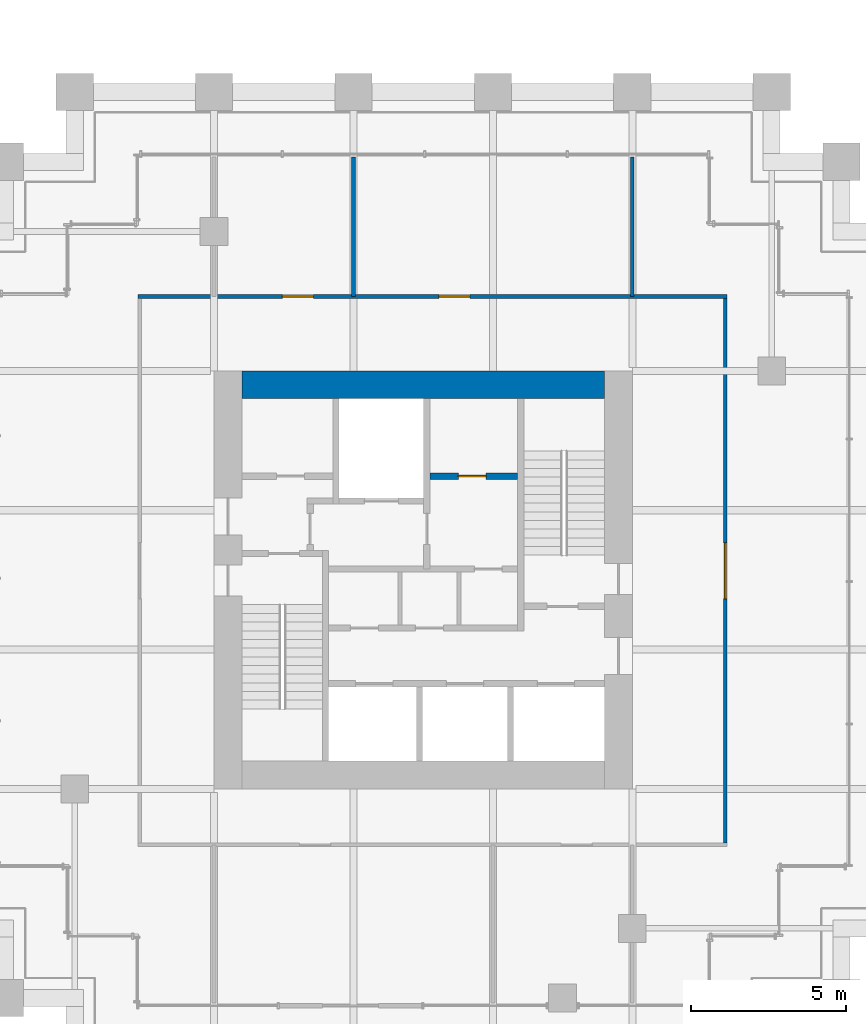
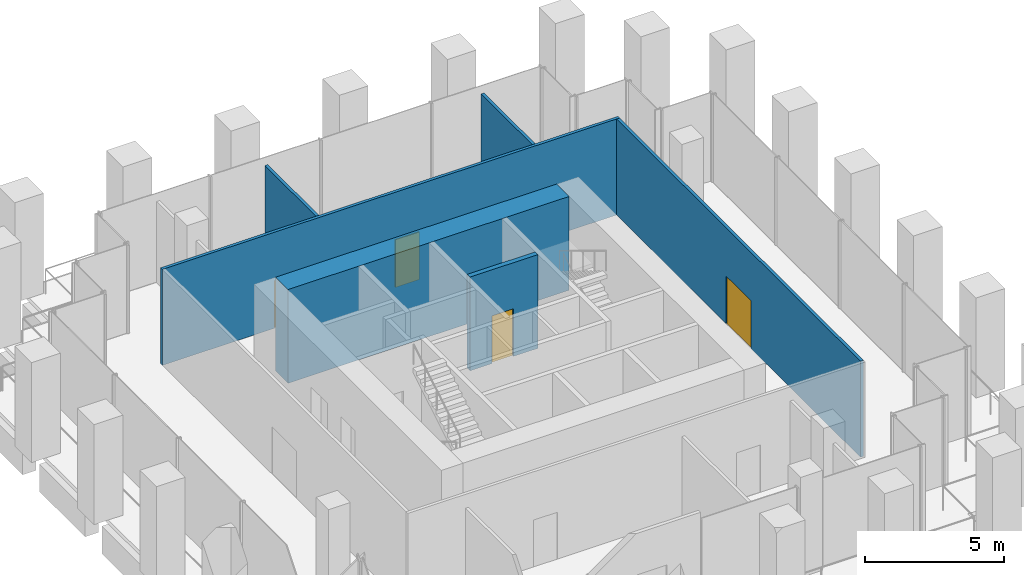
# One storey, part 33 of 36: 6 walls, 4 doors, 4 openings.
"""IFC4 building model written with IfcOpenShell, lengths in metres."""

from ifc_helpers import new_model, si_unit, direction, frame, frame_2d, origin, place, context, subcontext, project, spatial, rectangle, extrude, material, layer, layer_set, type_object, element, fill, save


model = new_model("IFC4")

# Units and contexts
model_context = context("Model", 3, precision=1e-05, world=origin(), true_north=direction((0.0, 1.0)))
body_context = subcontext(model_context, "Body", "Model", "MODEL_VIEW")
ifc_project = project(units=[si_unit("LENGTHUNIT", "METRE"), si_unit("AREAUNIT", "SQUARE_METRE"), si_unit("VOLUMEUNIT", "CUBIC_METRE"), si_unit("PLANEANGLEUNIT", "RADIAN"), si_unit("MASSUNIT", "GRAM", prefix="KILO")], contexts=[model_context])

# Site, building, storey
site_placement = place(None, origin())
site = spatial("IfcSite", under=ifc_project, at=site_placement, CompositionType="ELEMENT")
building_placement = place(site_placement, origin())
building = spatial("IfcBuilding", under=site, at=building_placement, Name="Altepetl Exchange Towers", CompositionType="ELEMENT")
storey_placement = place(building_placement, frame((0.0, 0.0, 29.800048828125)))
storey = spatial("IfcBuildingStorey", under=building, at=storey_placement, Name="L06", CompositionType="ELEMENT", Elevation=29.800048828125)

# Wall
ifc_material_1 = material(Name="Concrete C70/85", Category="concrete")
ifc_layer_1 = layer(ifc_material_1, 0.89990234375)
ifc_layer_set_1 = layer_set([ifc_layer_1], Name="Concrete C70/85")
wall_type_1 = type_object("IfcWallType", Name="Core wall 900 reinforced concrete", PredefinedType="SHEAR", material=ifc_layer_set_1)
wall_1_placement = place(storey_placement, frame((104.39990234375, 49.050048828125, 0.0)))
element("IfcWall", 1, at=wall_1_placement, inside=storey, type_object=wall_type_1, Name="wall:B:L06:K-coreN", PredefinedType="SHEAR", context=body_context, shape_type="SweptSolid", body=[
    extrude(rectangle(XDim=11.7001953125, YDim=0.89990234375, at=frame_2d((5.85009765625, 0.0))), origin(), (0.0, 0.0, 1.0), 4.125),
])

# Wall, openings, doors
ifc_material_2 = material(Name="Gypsum board on steel studs", Category="steel")
ifc_layer_2 = layer(ifc_material_2, 0.125)
ifc_layer_set_2 = layer_set([ifc_layer_2], Name="Gypsum board on steel studs")
wall_type_2 = type_object("IfcWallType", Name="Partition 125 gypsum board on steel studs", PredefinedType="PARTITIONING", material=ifc_layer_set_2)
wall_2_placement = place(storey_placement, frame((101.03759765625, 51.89990234375, 0.0)))
wall_2 = element("IfcWall", 2, at=wall_2_placement, inside=storey, type_object=wall_type_2, Name="wall:B:L06:P02", PredefinedType="PARTITIONING", context=body_context, shape_type="SweptSolid", body=[
    extrude(rectangle(XDim=19.02490234375, YDim=0.125, at=frame_2d((9.512451171875, 0.0))), origin(), (0.0, 0.0, 1.0), 4.224853515625),
])
opening_1_placement = place(wall_2_placement, frame((9.719482421875, 0.0, 0.0)))
opening_1 = element("IfcOpeningElement", 3, at=opening_1_placement, cuts=wall_2, Name="Opening L06.B05", PredefinedType="OPENING", context=body_context, shape_type="SweptSolid", body=[
    extrude(rectangle(XDim=1.0, YDim=2.10009765625, at=frame_2d((0.5, 1.050048828125))), frame((0.0, 0.072509765625, 0.0), z_axis=(0.0, -1.0, 0.0), x_axis=(1.0, 0.0, 0.0)), (0.0, 0.0, 1.0), 0.14501953125),
])
opening_2_placement = place(wall_2_placement, frame((4.66748046875, 0.0, 0.0)))
opening_2 = element("IfcOpeningElement", 4, at=opening_2_placement, cuts=wall_2, Name="Opening L06.B06", PredefinedType="OPENING", context=body_context, shape_type="SweptSolid", body=[
    extrude(rectangle(XDim=1.0, YDim=2.10009765625, at=frame_2d((0.5, 1.050048828125))), frame((0.0, 0.072509765625, 0.0), z_axis=(0.0, -1.0, 0.0), x_axis=(1.0, 0.0, 0.0)), (0.0, 0.0, 1.0), 0.14501953125),
])
ifc_material_3 = material(Name="Steel and timber fire door", Category="steel")
door_type_1 = type_object("IfcDoorType", Name="Fire door 1000 x 2100 single leaf", OperationType="SINGLE_SWING_LEFT", PredefinedType="DOOR", material=ifc_material_3)
door_1_placement = place(opening_1_placement, origin())
door_1 = element("IfcDoor", 5, at=door_1_placement, inside=storey, type_object=door_type_1, Name="door:B:L06:05", OperationType="SINGLE_SWING_LEFT", OverallHeight=2.10009765625, OverallWidth=1.0, PredefinedType="DOOR", context=body_context, shape_type="SweptSolid", body=[
    extrude(rectangle(XDim=1.0, YDim=2.10009765625, at=frame_2d((0.5, 1.050048828125))), frame((0.0, 0.02490234375, 0.0), z_axis=(0.0, -1.0, 0.0), x_axis=(1.0, 0.0, 0.0)), (0.0, 0.0, 1.0), 0.050048828125),
])
fill(opening_1, door_1)
door_2_placement = place(opening_2_placement, origin())
door_2 = element("IfcDoor", 6, at=door_2_placement, inside=storey, type_object=door_type_1, Name="door:B:L06:06", OperationType="SINGLE_SWING_LEFT", OverallHeight=2.10009765625, OverallWidth=1.0, PredefinedType="DOOR", context=body_context, shape_type="SweptSolid", body=[
    extrude(rectangle(XDim=1.0, YDim=2.10009765625, at=frame_2d((0.5, 1.050048828125))), frame((0.0, 0.02490234375, 0.0), z_axis=(0.0, -1.0, 0.0), x_axis=(1.0, 0.0, 0.0)), (0.0, 0.0, 1.0), 0.050048828125),
])
fill(opening_2, door_2)

# Walls
for number, where, z_axis, x_axis, name in (
    (7, (108.0, 51.89990234375, 0.0), (0.0, 0.0, 1.0), (0.0, 1.0, 0.0), "wall:B:L06:P07"),
    (8, (117.0, 51.89990234375, 0.0), (0.0, 0.0, 1.0), (0.0, 1.0, 0.0), "wall:B:L06:P11"),
):
    element("IfcWall", number, at=place(storey_placement, frame(where, z_axis=z_axis, x_axis=x_axis)), inside=storey, type_object=wall_type_2, Name=name, PredefinedType="PARTITIONING", context=body_context, shape_type="SweptSolid", body=[
        extrude(rectangle(XDim=4.5, YDim=0.125, at=frame_2d((2.25, 0.0))), origin(), (0.0, 0.0, 1.0), 3.613037109375),
    ])

# Wall, opening, door
wall_3_placement = place(storey_placement, frame((120.0, 34.262451171875, 0.0), z_axis=(0.0, 0.0, 1.0), x_axis=(0.0, 1.0, 0.0)))
wall_3 = element("IfcWall", 9, at=wall_3_placement, inside=storey, type_object=wall_type_2, Name="wall:B:L06:P12", PredefinedType="PARTITIONING", context=body_context, shape_type="SweptSolid", body=[
    extrude(rectangle(XDim=17.574951171875, YDim=0.125, at=frame_2d((8.78759765625, 0.0))), origin(), (0.0, 0.0, 1.0), 4.224853515625),
])
opening_3_placement = place(wall_3_placement, frame((7.887451171875, 0.0, 0.0)))
opening_3 = element("IfcOpeningElement", 10, at=opening_3_placement, cuts=wall_3, Name="Opening L06.B04", PredefinedType="OPENING", context=body_context, shape_type="SweptSolid", body=[
    extrude(rectangle(XDim=1.800048828125, YDim=2.10009765625, at=frame_2d((0.89990234375, 1.050048828125))), frame((0.0, 0.072509765625, 0.0), z_axis=(0.0, -1.0, 0.0), x_axis=(1.0, 0.0, 0.0)), (0.0, 0.0, 1.0), 0.14501953125),
])
door_type_2 = type_object("IfcDoorType", Name="Fire door 1800 x 2100 double leaf", OperationType="DOUBLE_DOOR_SINGLE_SWING", PredefinedType="DOOR", material=ifc_material_3)
door_3_placement = place(opening_3_placement, frame((1.800048828125, 0.0, 0.0), x_axis=(-1.0, 0.0, 0.0)))
door_3 = element("IfcDoor", 11, at=door_3_placement, inside=storey, type_object=door_type_2, Name="door:B:L06:04", OperationType="DOUBLE_DOOR_SINGLE_SWING", OverallHeight=2.10009765625, OverallWidth=1.800048828125, PredefinedType="DOOR", context=body_context, shape_type="SweptSolid", body=[
    extrude(rectangle(XDim=1.800048828125, YDim=2.10009765625, at=frame_2d((0.89990234375, 1.050048828125))), frame((0.0, 0.02490234375, 0.0), z_axis=(0.0, -1.0, 0.0), x_axis=(1.0, 0.0, 0.0)), (0.0, 0.0, 1.0), 0.050048828125),
])
fill(opening_3, door_3)

ifc_material_4 = material(Name="Concrete C40/50", Category="concrete")
ifc_layer_3 = layer(ifc_material_4, 0.199951171875)
ifc_layer_set_3 = layer_set([ifc_layer_3], Name="Concrete C40/50")
wall_type_3 = type_object("IfcWallType", Name="Shaft wall 200 reinforced concrete", PredefinedType="SHEAR", material=ifc_layer_set_3)
wall_4_placement = place(storey_placement, frame((110.466796875, 46.10009765625, 0.0)))
wall_4 = element("IfcWall", 12, at=wall_4_placement, inside=storey, type_object=wall_type_3, Name="wall:B:L06:K-frontNb", PredefinedType="SHEAR", context=body_context, shape_type="SweptSolid", body=[
    extrude(rectangle(XDim=2.833251953125, YDim=0.199951171875, at=frame_2d((1.41650390625, 0.0))), origin(), (0.0, 0.0, 1.0), 4.125),
])
opening_4_placement = place(wall_4_placement, frame((0.91650390625, 0.0, 0.0)))
opening_4 = element("IfcOpeningElement", 13, at=opening_4_placement, cuts=wall_4, Name="Opening L06.B69", PredefinedType="OPENING", context=body_context, shape_type="SweptSolid", body=[
    extrude(rectangle(XDim=0.89990234375, YDim=2.10009765625, at=frame_2d((0.449951171875, 1.050048828125))), frame((0.0, 0.10986328125, 0.0), z_axis=(0.0, -1.0, 0.0), x_axis=(1.0, 0.0, 0.0)), (0.0, 0.0, 1.0), 0.219970703125),
])
door_type_3 = type_object("IfcDoorType", Name="Fire door 900 x 2100 service room", OperationType="SINGLE_SWING_LEFT", PredefinedType="DOOR", material=ifc_material_3)
door_4_placement = place(opening_4_placement, origin())
door_4 = element("IfcDoor", 14, at=door_4_placement, inside=storey, type_object=door_type_3, Name="door:B:L06:K-dslotN2", OperationType="SINGLE_SWING_RIGHT", OverallHeight=2.10009765625, OverallWidth=0.89990234375, PredefinedType="DOOR", context=body_context, shape_type="SweptSolid", body=[
    extrude(rectangle(XDim=0.89990234375, YDim=2.10009765625, at=frame_2d((0.449951171875, 1.050048828125))), frame((0.0, 0.02490234375, 0.0), z_axis=(0.0, -1.0, 0.0), x_axis=(1.0, 0.0, 0.0)), (0.0, 0.0, 1.0), 0.050048828125),
])
fill(opening_4, door_4)

save(model, "model.ifc")
